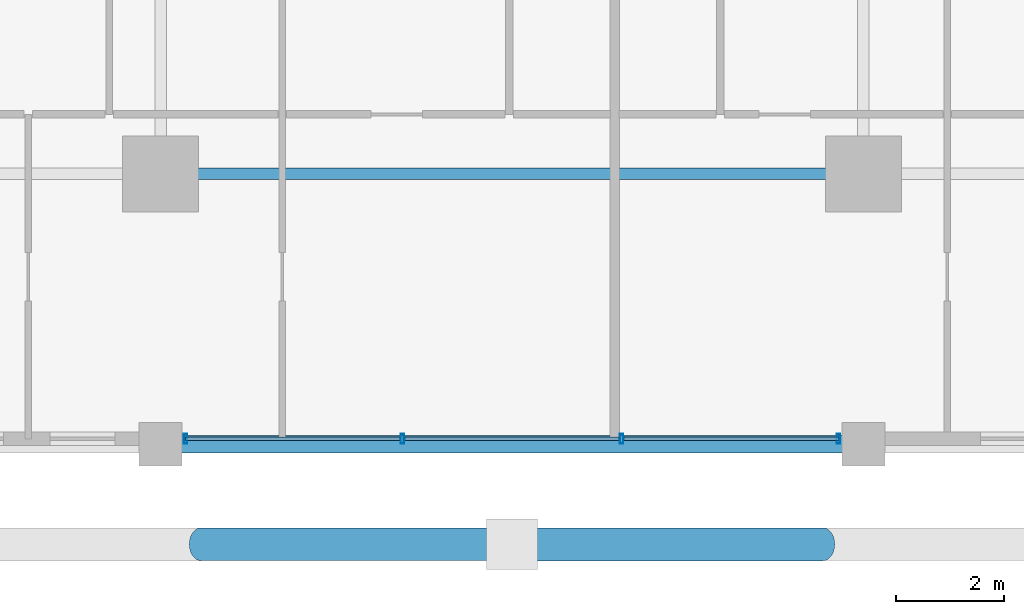
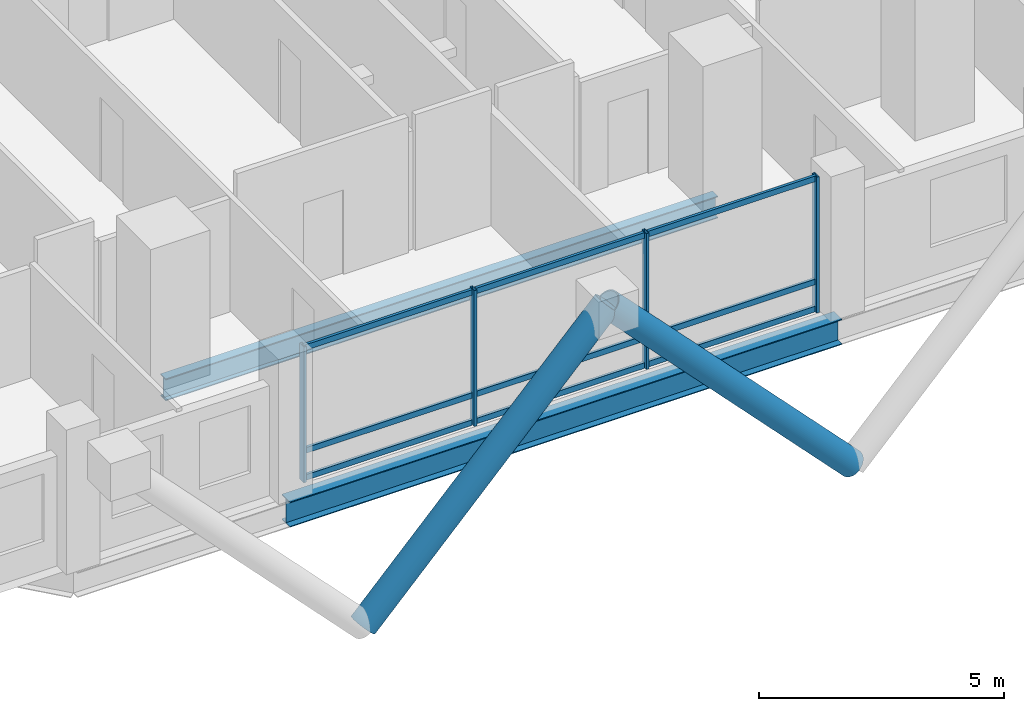
# One storey, part 2 of 23: 15 members, 2 beams, 1 element without a shape of its own.
"""IFC4 building model written with IfcOpenShell, lengths in metres."""

from ifc_helpers import new_model, si_unit, direction, frame, origin, origin_2d, place, context, subcontext, project, spatial, hollow_rectangle, hollow_circle, i_section, extrude, material, layer, layer_set, material_profile, profile_set, type_object, element, aggregate, save


model = new_model("IFC4")

# Units and contexts
model_context = context("Model", 3, precision=1e-05, world=origin(), true_north=direction((0.0, 1.0)))
body_context = subcontext(model_context, "Body", "Model", "MODEL_VIEW")
ifc_project = project(units=[si_unit("LENGTHUNIT", "METRE"), si_unit("AREAUNIT", "SQUARE_METRE"), si_unit("VOLUMEUNIT", "CUBIC_METRE"), si_unit("PLANEANGLEUNIT", "RADIAN"), si_unit("MASSUNIT", "GRAM", prefix="KILO")], contexts=[model_context])

# Site, building, storey
site_placement = place(None, origin())
site = spatial("IfcSite", under=ifc_project, at=site_placement, CompositionType="ELEMENT")
building_placement = place(site_placement, origin())
building = spatial("IfcBuilding", under=site, at=building_placement, Name="Barlavira Tower and Art Museum", CompositionType="ELEMENT")
storey_placement = place(building_placement, frame((0.0, 0.0, 36.0)))
storey = spatial("IfcBuildingStorey", under=building, at=storey_placement, Name="L07", CompositionType="ELEMENT", Elevation=36.0)

# Curtain wall, members
ifc_material_1 = material(Name="Low-iron coastal laminated glass", Category="glass")
ifc_layer = layer(ifc_material_1, 0.179931640625, Name="Low-iron coastal laminated glass")
ifc_layer_set = layer_set([ifc_layer], Name="Low-iron coastal laminated glass")
curtain_wall_type = type_object("IfcCurtainWallType", Name="Pale-Metal Unitised Curtain Wall Zone 1", PredefinedType="NOTDEFINED", material=ifc_layer_set)
curtain_wall_placement = place(storey_placement, origin())
curtain_wall = element("IfcCurtainWall", 1, at=curtain_wall_placement, inside=storey, type_object=curtain_wall_type, Name="L07 Curtain Wall CW1-L07-S-B3", PredefinedType="NOTDEFINED")
ifc_material_2 = material(Name="Pale anodised aluminium", Category="aluminium")
ifc_material_profile_1 = material_profile(ifc_material_2, hollow_rectangle(XDim=0.06494140625, YDim=0.179931640625, WallThickness=0.00390625, at=origin_2d()), Name="ALU-MULL 65x180x4")
ifc_profile_set_1 = profile_set([ifc_material_profile_1], Name="Pale anodised aluminium")
member_type_1 = type_object("IfcMemberType", Name="Curtain Wall Pale-Metal Mullion 65x180", PredefinedType="MULLION", material=ifc_profile_set_1)
member_1_placement = place(storey_placement, frame((-6.034912109375, -24.89990234375, 0.0), z_axis=(0.0, 0.0, 1.0), x_axis=(1.0, 0.0, 0.0)))
member_1 = element("IfcMember", 2, at=member_1_placement, type_object=member_type_1, Name="CW1-L07-S-B3 Mullion 0", PredefinedType="MULLION", context=body_context, shape_type="SweptSolid", body=[
    extrude(hollow_rectangle(XDim=0.06494140625, YDim=0.179931640625, WallThickness=0.00390625, at=origin_2d()), origin(), (0.0, 0.0, 1.0), 3.3798828125),
])
member_2_placement = place(storey_placement, frame((-2.026611328125, -24.89990234375, 0.0), z_axis=(0.0, 0.0, 1.0), x_axis=(1.0, 0.0, 0.0)))
member_2 = element("IfcMember", 3, at=member_2_placement, type_object=member_type_1, Name="CW1-L07-S-B3 Mullion 1", PredefinedType="MULLION", context=body_context, shape_type="SweptSolid", body=[
    extrude(hollow_rectangle(XDim=0.06494140625, YDim=0.179931640625, WallThickness=0.00390625, at=origin_2d()), origin(), (0.0, 0.0, 1.0), 3.3798828125),
])
member_3_placement = place(storey_placement, frame((2.026611328125, -24.89990234375, 0.0), z_axis=(0.0, 0.0, 1.0), x_axis=(1.0, 0.0, 0.0)))
member_3 = element("IfcMember", 4, at=member_3_placement, type_object=member_type_1, Name="CW1-L07-S-B3 Mullion 2", PredefinedType="MULLION", context=body_context, shape_type="SweptSolid", body=[
    extrude(hollow_rectangle(XDim=0.06494140625, YDim=0.179931640625, WallThickness=0.00390625, at=origin_2d()), origin(), (0.0, 0.0, 1.0), 3.3798828125),
])
member_4_placement = place(storey_placement, frame((6.034912109375, -24.89990234375, 0.0), z_axis=(0.0, 0.0, 1.0), x_axis=(1.0, 0.0, 0.0)))
member_4 = element("IfcMember", 5, at=member_4_placement, type_object=member_type_1, Name="CW1-L07-S-B3 Mullion 3", PredefinedType="MULLION", context=body_context, shape_type="SweptSolid", body=[
    extrude(hollow_rectangle(XDim=0.06494140625, YDim=0.179931640625, WallThickness=0.00390625, at=origin_2d()), origin(), (0.0, 0.0, 1.0), 3.3798828125),
])
ifc_material_profile_2 = material_profile(ifc_material_2, hollow_rectangle(XDim=0.06494140625, YDim=0.139892578125, WallThickness=0.00390625, at=origin_2d()), Name="ALU-TRAN 65x140x4")
ifc_profile_set_2 = profile_set([ifc_material_profile_2], Name="Pale anodised aluminium")
member_type_2 = type_object("IfcMemberType", Name="Curtain Wall Pale-Metal Transom 65x140", PredefinedType="USERDEFINED", material=ifc_profile_set_2)
member_5_placement = place(storey_placement, frame((-6.034912109375, -24.89990234375, 0.070068359375), z_axis=(1.0, 0.0, 0.0), x_axis=(0.0, 1.0, 0.0)))
member_5 = element("IfcMember", 6, at=member_5_placement, type_object=member_type_2, Name="CW1-L07-S-B3 Transom 0.1", ObjectType="TRANSOM", PredefinedType="USERDEFINED", context=body_context, shape_type="SweptSolid", body=[
    extrude(hollow_rectangle(XDim=0.06494140625, YDim=0.139892578125, WallThickness=0.00390625, at=origin_2d()), origin(), (0.0, 0.0, 1.0), 3.963134765625),
])
member_6_placement = place(storey_placement, frame((-6.034912109375, -24.89990234375, 0.743896484375), z_axis=(1.0, 0.0, 0.0), x_axis=(0.0, 1.0, 0.0)))
member_6 = element("IfcMember", 7, at=member_6_placement, type_object=member_type_2, Name="CW1-L07-S-B3 Transom 0.2", ObjectType="TRANSOM", PredefinedType="USERDEFINED", context=body_context, shape_type="SweptSolid", body=[
    extrude(hollow_rectangle(XDim=0.06494140625, YDim=0.139892578125, WallThickness=0.00390625, at=origin_2d()), origin(), (0.0, 0.0, 1.0), 3.963134765625),
])
member_7_placement = place(storey_placement, frame((-6.034912109375, -24.89990234375, 3.31005859375), z_axis=(1.0, 0.0, 0.0), x_axis=(0.0, 1.0, 0.0)))
member_7 = element("IfcMember", 8, at=member_7_placement, type_object=member_type_2, Name="CW1-L07-S-B3 Transom 0.3", ObjectType="TRANSOM", PredefinedType="USERDEFINED", context=body_context, shape_type="SweptSolid", body=[
    extrude(hollow_rectangle(XDim=0.06494140625, YDim=0.139892578125, WallThickness=0.00390625, at=origin_2d()), origin(), (0.0, 0.0, 1.0), 3.963134765625),
])
member_8_placement = place(storey_placement, frame((-1.981689453125, -24.89990234375, 0.070068359375), z_axis=(1.0, 0.0, 0.0), x_axis=(0.0, 1.0, 0.0)))
member_8 = element("IfcMember", 9, at=member_8_placement, type_object=member_type_2, Name="CW1-L07-S-B3 Transom 1.1", ObjectType="TRANSOM", PredefinedType="USERDEFINED", context=body_context, shape_type="SweptSolid", body=[
    extrude(hollow_rectangle(XDim=0.06494140625, YDim=0.139892578125, WallThickness=0.00390625, at=origin_2d()), origin(), (0.0, 0.0, 1.0), 3.96337890625),
])
member_9_placement = place(storey_placement, frame((-1.981689453125, -24.89990234375, 0.743896484375), z_axis=(1.0, 0.0, 0.0), x_axis=(0.0, 1.0, 0.0)))
member_9 = element("IfcMember", 10, at=member_9_placement, type_object=member_type_2, Name="CW1-L07-S-B3 Transom 1.2", ObjectType="TRANSOM", PredefinedType="USERDEFINED", context=body_context, shape_type="SweptSolid", body=[
    extrude(hollow_rectangle(XDim=0.06494140625, YDim=0.139892578125, WallThickness=0.00390625, at=origin_2d()), origin(), (0.0, 0.0, 1.0), 3.96337890625),
])
member_10_placement = place(storey_placement, frame((-1.981689453125, -24.89990234375, 3.31005859375), z_axis=(1.0, 0.0, 0.0), x_axis=(0.0, 1.0, 0.0)))
member_10 = element("IfcMember", 11, at=member_10_placement, type_object=member_type_2, Name="CW1-L07-S-B3 Transom 1.3", ObjectType="TRANSOM", PredefinedType="USERDEFINED", context=body_context, shape_type="SweptSolid", body=[
    extrude(hollow_rectangle(XDim=0.06494140625, YDim=0.139892578125, WallThickness=0.00390625, at=origin_2d()), origin(), (0.0, 0.0, 1.0), 3.96337890625),
])
member_11_placement = place(storey_placement, frame((2.07177734375, -24.89990234375, 0.070068359375), z_axis=(1.0, 0.0, 0.0), x_axis=(0.0, 1.0, 0.0)))
member_11 = element("IfcMember", 12, at=member_11_placement, type_object=member_type_2, Name="CW1-L07-S-B3 Transom 2.1", ObjectType="TRANSOM", PredefinedType="USERDEFINED", context=body_context, shape_type="SweptSolid", body=[
    extrude(hollow_rectangle(XDim=0.06494140625, YDim=0.139892578125, WallThickness=0.00390625, at=origin_2d()), origin(), (0.0, 0.0, 1.0), 3.963134765625),
])
member_12_placement = place(storey_placement, frame((2.07177734375, -24.89990234375, 0.743896484375), z_axis=(1.0, 0.0, 0.0), x_axis=(0.0, 1.0, 0.0)))
member_12 = element("IfcMember", 13, at=member_12_placement, type_object=member_type_2, Name="CW1-L07-S-B3 Transom 2.2", ObjectType="TRANSOM", PredefinedType="USERDEFINED", context=body_context, shape_type="SweptSolid", body=[
    extrude(hollow_rectangle(XDim=0.06494140625, YDim=0.139892578125, WallThickness=0.00390625, at=origin_2d()), origin(), (0.0, 0.0, 1.0), 3.963134765625),
])
member_13_placement = place(storey_placement, frame((2.07177734375, -24.89990234375, 3.31005859375), z_axis=(1.0, 0.0, 0.0), x_axis=(0.0, 1.0, 0.0)))
member_13 = element("IfcMember", 14, at=member_13_placement, type_object=member_type_2, Name="CW1-L07-S-B3 Transom 2.3", ObjectType="TRANSOM", PredefinedType="USERDEFINED", context=body_context, shape_type="SweptSolid", body=[
    extrude(hollow_rectangle(XDim=0.06494140625, YDim=0.139892578125, WallThickness=0.00390625, at=origin_2d()), origin(), (0.0, 0.0, 1.0), 3.963134765625),
])
aggregate(curtain_wall, [member_1, member_2, member_3, member_4, member_5, member_6, member_7, member_8, member_9, member_10, member_11, member_12, member_13])

# Members
ifc_material_3 = material(Name="Steel S355", Category="steel")
ifc_material_profile_3 = material_profile(ifc_material_3, hollow_circle(Radius=0.304931640625, WallThickness=0.028076171875, at=origin_2d()), Name="CHS 610.0x28.0")
ifc_profile_set_3 = profile_set([ifc_material_profile_3], Name="Steel S355")
member_type_3 = type_object("IfcMemberType", Name="Pale-Metal Exoskeleton Diagrid Tube CHS 610x28 Steel S355", PredefinedType="BRACE", material=ifc_profile_set_3)
for number, where, z_axis, x_axis, name in (
    (15, (-5.75, -26.85009765625, -2.52001953125), (0.691905363236, 0.0, 0.721988205115), (0.0, 1.0, 0.0), "L07 Exoskeleton Diagrid Tube S"),
    (16, (5.75, -26.85009765625, -2.52001953125), (-0.691905363236, 0.0, 0.721988205115), (0.0, -1.0, 0.0), "L07 Exoskeleton Diagrid Tube S"),
):
    element("IfcMember", number, at=place(storey_placement, frame(where, z_axis=z_axis, x_axis=x_axis)), inside=storey, type_object=member_type_3, Name=name, PredefinedType="BRACE", context=body_context, shape_type="SweptSolid", body=[
        extrude(hollow_circle(Radius=0.304931640625, WallThickness=0.028076171875, at=origin_2d()), origin(), (0.0, 0.0, 1.0), 8.310302734375),
    ])

# Beams
ifc_material_profile_4 = material_profile(ifc_material_3, i_section(OverallWidth=0.327880859375, OverallDepth=0.62890625, WebThickness=0.013916015625, FlangeThickness=0.021484375, at=origin_2d()), Name="W610x174.0")
ifc_profile_set_4 = profile_set([ifc_material_profile_4], Name="Steel S355")
beam_type_1 = type_object("IfcBeamType", Name="Perimeter Spandrel Edge Beam W610x174 Steel S355", PredefinedType="SPANDREL", material=ifc_profile_set_4)
beam_1_placement = place(storey_placement, frame((-6.5, -25.0, -0.534423828125), z_axis=(1.0, 0.0, 0.0), x_axis=(0.0, 1.0, 0.0)))
element("IfcBeam", 17, at=beam_1_placement, inside=storey, type_object=beam_type_1, Name="L07 Spandrel 2", PredefinedType="SPANDREL", context=body_context, shape_type="SweptSolid", body=[
    extrude(i_section(OverallWidth=0.327880859375, OverallDepth=0.62890625, WebThickness=0.013916015625, FlangeThickness=0.021484375, at=origin_2d()), origin(), (0.0, 0.0, 1.0), 13.0),
])
ifc_material_profile_5 = material_profile(ifc_material_3, i_section(OverallWidth=0.214111328125, OverallDepth=0.549072265625, WebThickness=0.0146484375, FlangeThickness=0.023681640625, at=origin_2d()), Name="W530x138.0")
ifc_profile_set_5 = profile_set([ifc_material_profile_5], Name="Steel S355")
beam_type_2 = type_object("IfcBeamType", Name="Zone 1 Primary Floor Girder W530x138 Steel S355", PredefinedType="BEAM", material=ifc_profile_set_5)
beam_2_placement = place(storey_placement, frame((-6.5, -20.0, -0.494384765625), z_axis=(1.0, 0.0, 0.0), x_axis=(0.0, 1.0, 0.0)))
element("IfcBeam", 18, at=beam_2_placement, inside=storey, type_object=beam_type_2, Name="L07 Girder M-S2", PredefinedType="BEAM", context=body_context, shape_type="SweptSolid", body=[
    extrude(i_section(OverallWidth=0.214111328125, OverallDepth=0.549072265625, WebThickness=0.0146484375, FlangeThickness=0.023681640625, at=origin_2d()), origin(), (0.0, 0.0, 1.0), 13.0),
])

save(model, "model.ifc")
